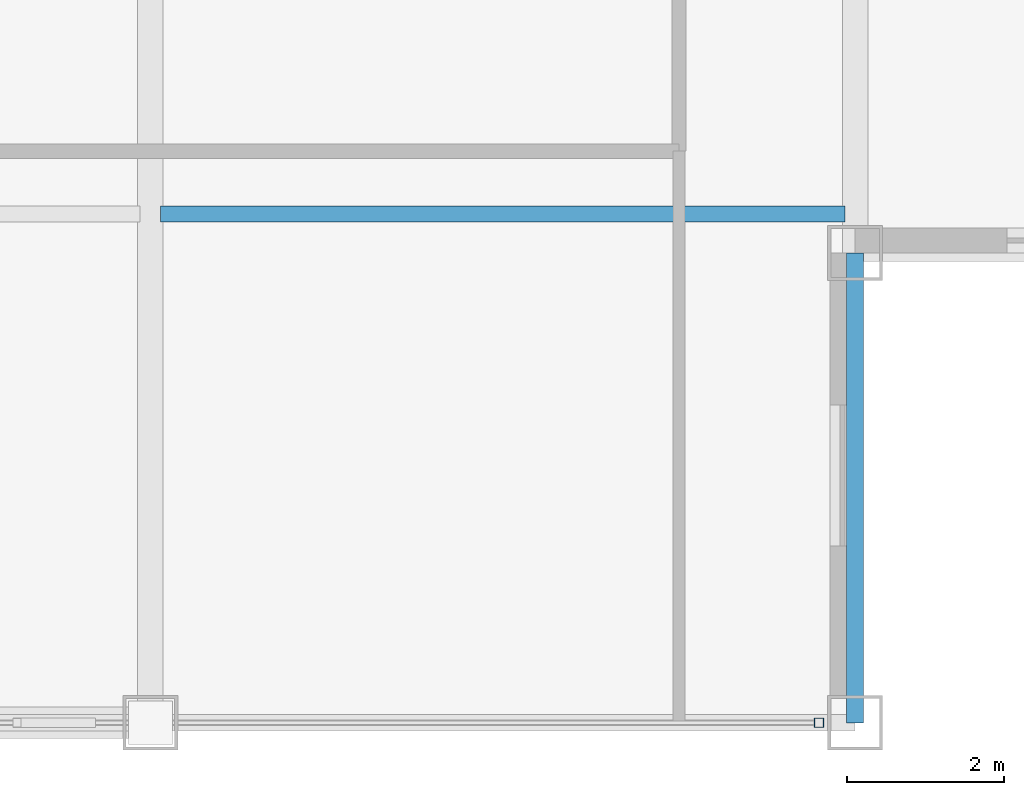
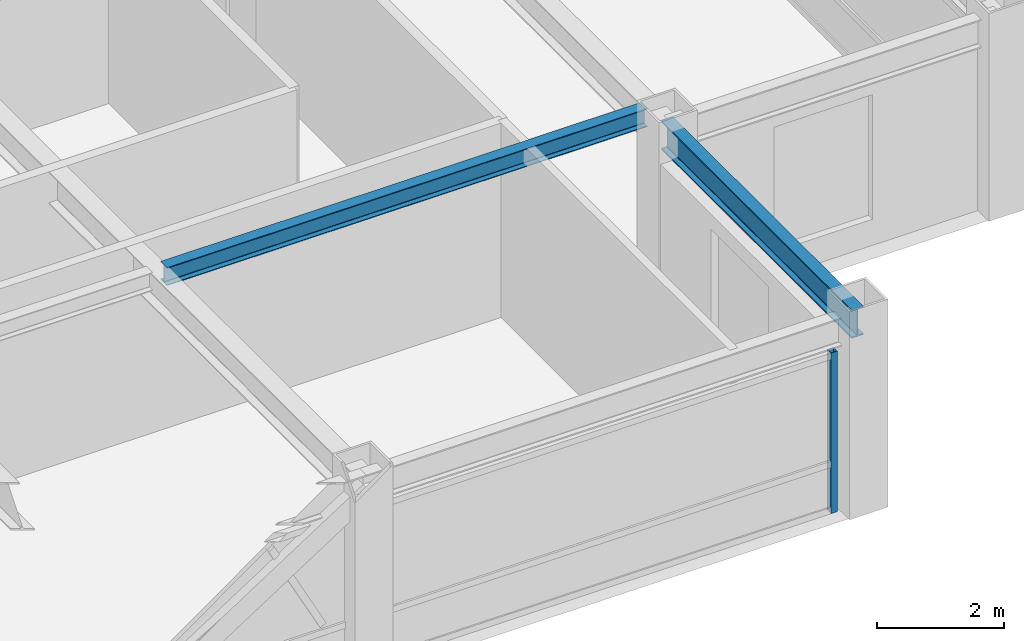
# One storey, part 8 of 29: 2 beams, 1 member, 1 element without a shape of its own.
"""IFC4 building model written with IfcOpenShell, lengths in metres."""

from ifc_helpers import new_model, si_unit, direction, frame, origin, origin_2d, place, context, subcontext, project, spatial, hollow_rectangle, i_section, extrude, source, transform, mapped, material, material_profile, profile_set, type_object, element, aggregate, save


model = new_model("IFC4")

# Units and contexts
model_context = context("Model", 3, precision=1e-05, world=origin(), true_north=direction((0.0, 1.0)))
body_context = subcontext(model_context, "Body", "Model", "MODEL_VIEW")
ifc_project = project(units=[si_unit("LENGTHUNIT", "METRE"), si_unit("AREAUNIT", "SQUARE_METRE"), si_unit("VOLUMEUNIT", "CUBIC_METRE"), si_unit("PLANEANGLEUNIT", "RADIAN"), si_unit("MASSUNIT", "GRAM", prefix="KILO")], contexts=[model_context])

# Site, building, storey
site_placement = place(None, origin())
site = spatial("IfcSite", under=ifc_project, at=site_placement, CompositionType="ELEMENT")
building_placement = place(site_placement, origin())
building = spatial("IfcBuilding", under=site, at=building_placement, Name="Khorayat Bourse Tower", CompositionType="ELEMENT")
storey_placement = place(building_placement, frame((0.0, 0.0, 366.300048828125)))
storey = spatial("IfcBuildingStorey", under=building, at=storey_placement, Name="L87", CompositionType="ELEMENT", Elevation=366.300048828125)

# Beams
ifc_material_1 = material(Name="Steel ASTM A992 Grade 50", Category="steel")
ifc_material_profile_1 = material_profile(ifc_material_1, i_section(OverallWidth=0.214111328125, OverallDepth=0.549072265625, WebThickness=0.0146484375, FlangeThickness=0.023681640625, FilletRadius=0.013916015625, at=origin_2d()), Name="W530X138")
ifc_profile_set_1 = profile_set([ifc_material_profile_1], Name="Steel ASTM A992 Grade 50")
beam_type_1 = type_object("IfcBeamType", Name="BM-SPAN-530", PredefinedType="SPANDREL", material=ifc_profile_set_1)
shared_shape_1 = source(origin(), body_context, "Body", "SweptSolid", [
    extrude(i_section(OverallWidth=0.214111328125, OverallDepth=0.549072265625, WebThickness=0.0146484375, FlangeThickness=0.023681640625, FilletRadius=0.013916015625, at=origin_2d()), origin(), (0.0, 0.0, 1.0), 6.0),
])
beam_1_placement = place(storey_placement, frame((20.0, -26.0, 3.46533203125), z_axis=(0.0, 1.0, 0.0), x_axis=(-1.0, 0.0, 0.0)))
element("IfcBeam", 1, at=beam_1_placement, inside=storey, type_object=beam_type_1, Name="L87 BM-SPAN-530 BM-L87-SPN-030", PredefinedType="SPANDREL", context=body_context, shape_type="MappedRepresentation", body=[
    mapped(shared_shape_1, transform((0.0, 0.0, 0.0), scale=1.0)),
])
ifc_material_profile_2 = material_profile(ifc_material_1, i_section(OverallWidth=0.202880859375, OverallDepth=0.346923828125, WebThickness=0.0078125, FlangeThickness=0.013427734375, FilletRadius=0.010009765625, at=origin_2d()), Name="W360X64")
ifc_profile_set_2 = profile_set([ifc_material_profile_2], Name="Steel ASTM A992 Grade 50")
beam_type_2 = type_object("IfcBeamType", Name="BM-JOIST-360", PredefinedType="JOIST", material=ifc_profile_set_2)
shared_shape_2 = source(origin(), body_context, "Body", "SweptSolid", [
    extrude(i_section(OverallWidth=0.202880859375, OverallDepth=0.346923828125, WebThickness=0.0078125, FlangeThickness=0.013427734375, FilletRadius=0.010009765625, at=origin_2d()), origin(), (0.0, 0.0, 1.0), 8.740234375),
])
beam_2_placement = place(storey_placement, frame((11.1298828125, -19.5, 3.56640625), z_axis=(1.0, 0.0, 0.0), x_axis=(0.0, 1.0, 0.0)))
element("IfcBeam", 2, at=beam_2_placement, inside=storey, type_object=beam_type_2, Name="L87 BM-JOIST-360 BM-L87-JSTX-082", PredefinedType="JOIST", context=body_context, shape_type="MappedRepresentation", body=[
    mapped(shared_shape_2, transform((0.0, 0.0, 0.0), scale=1.0)),
])

# Curtain wall, member
ifc_material_2 = material(Name="Aluminium EN AW-6063 T6", Category="aluminium")
curtain_wall_type = type_object("IfcCurtainWallType", Name="CW-SYS-04", PredefinedType="NOTDEFINED", material=ifc_material_2)
curtain_wall_placement = place(storey_placement, origin())
curtain_wall = element("IfcCurtainWall", 3, at=curtain_wall_placement, inside=storey, type_object=curtain_wall_type, Name="L87 Curtain Wall CW-L87-S1", PredefinedType="NOTDEFINED")
ifc_material_profile_3 = material_profile(ifc_material_2, hollow_rectangle(XDim=0.1201171875, YDim=0.1201171875, WallThickness=0.0048828125, at=origin_2d()), Name="ALU 120x120x5")
ifc_profile_set_3 = profile_set([ifc_material_profile_3], Name="Aluminium EN AW-6063 T6")
member_type = type_object("IfcMemberType", Name="CWM-VERT-120", PredefinedType="MULLION", material=ifc_profile_set_3)
shared_shape_3 = source(origin(), body_context, "Body", "SweptSolid", [
    extrude(hollow_rectangle(XDim=0.1201171875, YDim=0.1201171875, WallThickness=0.0048828125, at=origin_2d()), origin(), (0.0, 0.0, 1.0), 3.08984375),
])
member_placement = place(storey_placement, frame((19.5400390625, -26.0, 0.0), z_axis=(0.0, 0.0, 1.0), x_axis=(0.0, 1.0, 0.0)))
member = element("IfcMember", 4, at=member_placement, type_object=member_type, Name="CW-L87-S1 Vertical Mullion 3", PredefinedType="MULLION", context=body_context, shape_type="MappedRepresentation", body=[
    mapped(shared_shape_3, transform((0.0, 0.0, 0.0), scale=1.0)),
])
aggregate(curtain_wall, [member])

save(model, "model.ifc")
